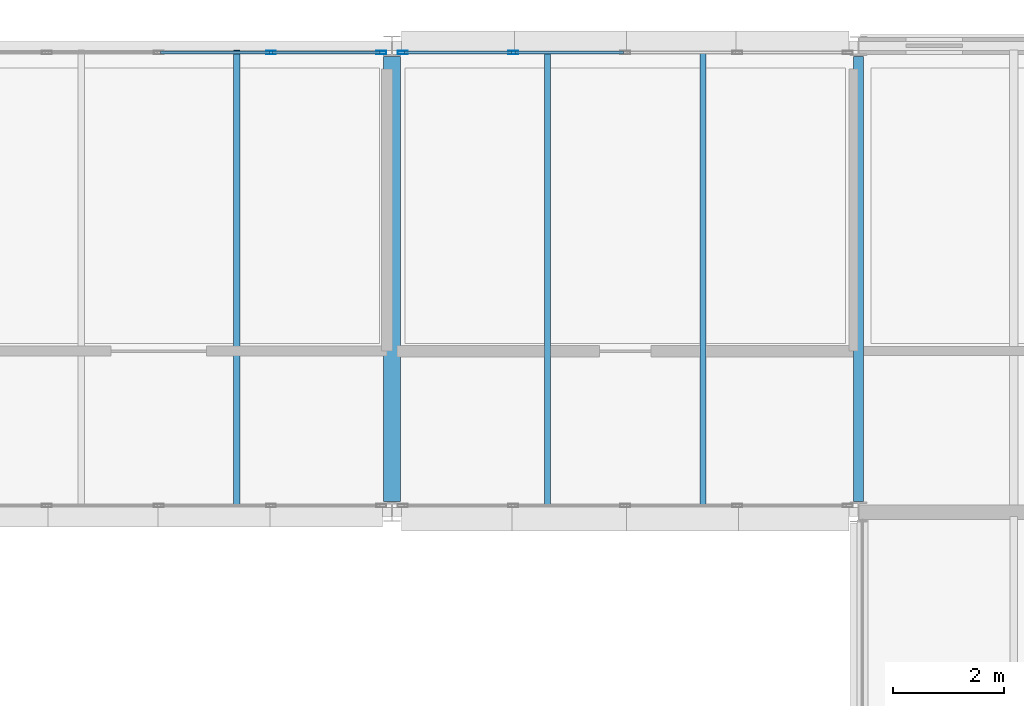
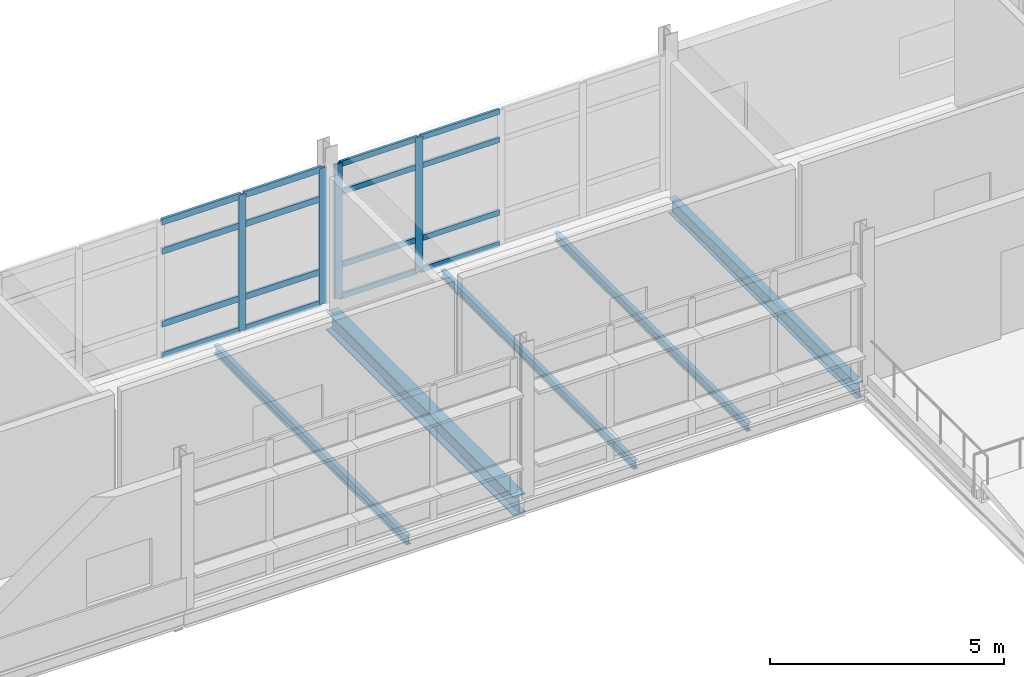
# One storey, part 18 of 66: 20 members, 5 beams, 2 elements without a shape of their own.
"""IFC4 building model written with IfcOpenShell, lengths in metres."""

from ifc_helpers import new_model, si_unit, direction, frame, origin, origin_2d, place, context, subcontext, project, spatial, hollow_rectangle, i_section, extrude, material, material_profile, profile_set, type_object, element, aggregate, save


model = new_model("IFC4")

# Units and contexts
model_context = context("Model", 3, precision=1e-05, world=origin(), true_north=direction((0.0, 1.0)))
body_context = subcontext(model_context, "Body", "Model", "MODEL_VIEW")
ifc_project = project(units=[si_unit("LENGTHUNIT", "METRE"), si_unit("AREAUNIT", "SQUARE_METRE"), si_unit("VOLUMEUNIT", "CUBIC_METRE"), si_unit("PLANEANGLEUNIT", "RADIAN"), si_unit("MASSUNIT", "GRAM", prefix="KILO")], contexts=[model_context])

# Site, building, storey
site_placement = place(None, origin())
site = spatial("IfcSite", under=ifc_project, at=site_placement, CompositionType="ELEMENT")
building_placement = place(site_placement, origin())
building = spatial("IfcBuilding", under=site, at=building_placement, Name="Mersafa Astral City Hall", CompositionType="ELEMENT")
storey_placement = place(building_placement, frame((0.0, 0.0, 22.050048828125)))
storey = spatial("IfcBuildingStorey", under=building, at=storey_placement, Name="L05", CompositionType="ELEMENT", Elevation=22.050048828125)

# Curtain wall, members
ifc_material_1 = material(Name="Anodised bronze aluminium framing", Category="aluminium")
curtain_wall_type_1 = type_object("IfcCurtainWallType", Name="ENV-CW-4", PredefinedType="USERDEFINED", material=ifc_material_1)
curtain_wall_1_placement = place(storey_placement, origin())
curtain_wall_1 = element("IfcCurtainWall", 1, at=curtain_wall_1_placement, inside=storey, type_object=curtain_wall_type_1, Name="L05 Unitised solar curtain wall 231", ObjectType="UNITISED CURTAIN WALL", PredefinedType="USERDEFINED")
ifc_material_profile_1 = material_profile(ifc_material_1, hollow_rectangle(XDim=0.06005859375, YDim=0.179931640625, WallThickness=0.00390625, at=origin_2d()), Name="RHS 60x180x4")
ifc_profile_set_1 = profile_set([ifc_material_profile_1], Name="Anodised bronze aluminium framing")
member_type_1 = type_object("IfcMemberType", Name="ENV-CW-MUL-1", PredefinedType="MULLION", material=ifc_profile_set_1)
member_1_placement = place(storey_placement, frame((94.5810546875, 125.8798828125, -0.001953125), z_axis=(0.0, 0.0, 1.0), x_axis=(0.0, -1.0, 0.0)))
member_1 = element("IfcMember", 2, at=member_1_placement, type_object=member_type_1, Name="CW-4 mullion 4", PredefinedType="MULLION", context=body_context, shape_type="SweptSolid", body=[
    extrude(hollow_rectangle(XDim=0.06005859375, YDim=0.179931640625, WallThickness=0.00390625, at=origin_2d()), origin(), (0.0, 0.0, 1.0), 3.513916015625),
])
member_2_placement = place(storey_placement, frame((92.592041015625, 125.8798828125, -0.001953125), z_axis=(0.0, 0.0, 1.0), x_axis=(0.0, -1.0, 0.0)))
member_2 = element("IfcMember", 3, at=member_2_placement, type_object=member_type_1, Name="CW-4 mullion 5", PredefinedType="MULLION", context=body_context, shape_type="SweptSolid", body=[
    extrude(hollow_rectangle(XDim=0.06005859375, YDim=0.179931640625, WallThickness=0.00390625, at=origin_2d()), origin(), (0.0, 0.0, 1.0), 3.513916015625),
])

curtain_wall_type_2 = type_object("IfcCurtainWallType", Name="ENV-CW-5", PredefinedType="USERDEFINED", material=ifc_material_1)
curtain_wall_2_placement = place(storey_placement, origin())
curtain_wall_2 = element("IfcCurtainWall", 4, at=curtain_wall_2_placement, inside=storey, type_object=curtain_wall_type_2, Name="L05 Unitised solar curtain wall 232", ObjectType="UNITISED CURTAIN WALL", PredefinedType="USERDEFINED")
member_3_placement = place(storey_placement, frame((92.2080078125, 125.8798828125, -0.001953125), z_axis=(0.0, 0.0, 1.0), x_axis=(0.0, -1.0, 0.0)))
member_3 = element("IfcMember", 5, at=member_3_placement, type_object=member_type_1, Name="CW-5 mullion 1", PredefinedType="MULLION", context=body_context, shape_type="SweptSolid", body=[
    extrude(hollow_rectangle(XDim=0.06005859375, YDim=0.179931640625, WallThickness=0.00390625, at=origin_2d()), origin(), (0.0, 0.0, 1.0), 3.5439453125),
])
member_4_placement = place(storey_placement, frame((90.218994140625, 125.8798828125, -0.001953125), z_axis=(0.0, 0.0, 1.0), x_axis=(0.0, -1.0, 0.0)))
member_4 = element("IfcMember", 6, at=member_4_placement, type_object=member_type_1, Name="CW-5 mullion 2", PredefinedType="MULLION", context=body_context, shape_type="SweptSolid", body=[
    extrude(hollow_rectangle(XDim=0.06005859375, YDim=0.179931640625, WallThickness=0.00390625, at=origin_2d()), origin(), (0.0, 0.0, 1.0), 3.5439453125),
])

# Member
ifc_material_profile_2 = material_profile(ifc_material_1, hollow_rectangle(XDim=0.06005859375, YDim=0.139892578125, WallThickness=0.00390625, at=origin_2d()), Name="RHS 60x140x4")
ifc_profile_set_2 = profile_set([ifc_material_profile_2], Name="Anodised bronze aluminium framing")
member_type_2 = type_object("IfcMemberType", Name="ENV-CW-TRN-1", PredefinedType="USERDEFINED", material=ifc_profile_set_2)
member_5_placement = place(storey_placement, frame((96.570068359375, 125.8798828125, 0.02783203125), z_axis=(-1.0, 0.0, 0.0), x_axis=(0.0, -1.0, 0.0)))
member_5 = element("IfcMember", 7, at=member_5_placement, type_object=member_type_2, Name="CW-4 transom 3.1", ObjectType="TRANSOM", PredefinedType="USERDEFINED", context=body_context, shape_type="SweptSolid", body=[
    extrude(hollow_rectangle(XDim=0.06005859375, YDim=0.139892578125, WallThickness=0.00390625, at=origin_2d()), origin(), (0.0, 0.0, 1.0), 1.958984375),
])

member_6_placement = place(storey_placement, frame((96.570068359375, 125.8798828125, 0.849853515625), z_axis=(-1.0, 0.0, 0.0), x_axis=(0.0, -1.0, 0.0)))
member_6 = element("IfcMember", 8, at=member_6_placement, type_object=member_type_2, Name="CW-4 transom 3.2", ObjectType="TRANSOM", PredefinedType="USERDEFINED", context=body_context, shape_type="SweptSolid", body=[
    extrude(hollow_rectangle(XDim=0.06005859375, YDim=0.139892578125, WallThickness=0.00390625, at=origin_2d()), origin(), (0.0, 0.0, 1.0), 1.958984375),
])

member_7_placement = place(storey_placement, frame((96.570068359375, 125.8798828125, 2.75), z_axis=(-1.0, 0.0, 0.0), x_axis=(0.0, -1.0, 0.0)))
member_7 = element("IfcMember", 9, at=member_7_placement, type_object=member_type_2, Name="CW-4 transom 3.3", ObjectType="TRANSOM", PredefinedType="USERDEFINED", context=body_context, shape_type="SweptSolid", body=[
    extrude(hollow_rectangle(XDim=0.06005859375, YDim=0.139892578125, WallThickness=0.00390625, at=origin_2d()), origin(), (0.0, 0.0, 1.0), 1.958984375),
])

member_8_placement = place(storey_placement, frame((96.570068359375, 125.8798828125, 3.48193359375), z_axis=(-1.0, 0.0, 0.0), x_axis=(0.0, -1.0, 0.0)))
member_8 = element("IfcMember", 10, at=member_8_placement, type_object=member_type_2, Name="CW-4 transom 3.4", ObjectType="TRANSOM", PredefinedType="USERDEFINED", context=body_context, shape_type="SweptSolid", body=[
    extrude(hollow_rectangle(XDim=0.06005859375, YDim=0.139892578125, WallThickness=0.00390625, at=origin_2d()), origin(), (0.0, 0.0, 1.0), 1.958984375),
])

member_9_placement = place(storey_placement, frame((94.551025390625, 125.8798828125, 0.02783203125), z_axis=(-1.0, 0.0, 0.0), x_axis=(0.0, -1.0, 0.0)))
member_9 = element("IfcMember", 11, at=member_9_placement, type_object=member_type_2, Name="CW-4 transom 4.1", ObjectType="TRANSOM", PredefinedType="USERDEFINED", context=body_context, shape_type="SweptSolid", body=[
    extrude(hollow_rectangle(XDim=0.06005859375, YDim=0.139892578125, WallThickness=0.00390625, at=origin_2d()), origin(), (0.0, 0.0, 1.0), 1.928955078125),
])

member_10_placement = place(storey_placement, frame((94.551025390625, 125.8798828125, 0.849853515625), z_axis=(-1.0, 0.0, 0.0), x_axis=(0.0, -1.0, 0.0)))
member_10 = element("IfcMember", 12, at=member_10_placement, type_object=member_type_2, Name="CW-4 transom 4.2", ObjectType="TRANSOM", PredefinedType="USERDEFINED", context=body_context, shape_type="SweptSolid", body=[
    extrude(hollow_rectangle(XDim=0.06005859375, YDim=0.139892578125, WallThickness=0.00390625, at=origin_2d()), origin(), (0.0, 0.0, 1.0), 1.928955078125),
])

member_11_placement = place(storey_placement, frame((94.551025390625, 125.8798828125, 2.75), z_axis=(-1.0, 0.0, 0.0), x_axis=(0.0, -1.0, 0.0)))
member_11 = element("IfcMember", 13, at=member_11_placement, type_object=member_type_2, Name="CW-4 transom 4.3", ObjectType="TRANSOM", PredefinedType="USERDEFINED", context=body_context, shape_type="SweptSolid", body=[
    extrude(hollow_rectangle(XDim=0.06005859375, YDim=0.139892578125, WallThickness=0.00390625, at=origin_2d()), origin(), (0.0, 0.0, 1.0), 1.928955078125),
])

member_12_placement = place(storey_placement, frame((94.551025390625, 125.8798828125, 3.48193359375), z_axis=(-1.0, 0.0, 0.0), x_axis=(0.0, -1.0, 0.0)))
member_12 = element("IfcMember", 14, at=member_12_placement, type_object=member_type_2, Name="CW-4 transom 4.4", ObjectType="TRANSOM", PredefinedType="USERDEFINED", context=body_context, shape_type="SweptSolid", body=[
    extrude(hollow_rectangle(XDim=0.06005859375, YDim=0.139892578125, WallThickness=0.00390625, at=origin_2d()), origin(), (0.0, 0.0, 1.0), 1.928955078125),
])

aggregate(curtain_wall_1, [member_1, member_2, member_5, member_6, member_7, member_8, member_9, member_10, member_11, member_12])

ifc_material_profile_3 = material_profile(ifc_material_1, hollow_rectangle(XDim=0.06005859375, YDim=0.159912109375, WallThickness=0.00390625, at=origin_2d()), Name="RHS 60x160x4")
ifc_profile_set_3 = profile_set([ifc_material_profile_3], Name="Anodised bronze aluminium framing")
member_type_3 = type_object("IfcMemberType", Name="ENV-CW-TRN-2", PredefinedType="USERDEFINED", material=ifc_profile_set_3)
member_13_placement = place(storey_placement, frame((92.177978515625, 125.8798828125, 0.02783203125), z_axis=(-1.0, 0.0, 0.0), x_axis=(0.0, -1.0, 0.0)))
member_13 = element("IfcMember", 15, at=member_13_placement, type_object=member_type_3, Name="CW-5 transom 1.1", ObjectType="TRANSOM", PredefinedType="USERDEFINED", context=body_context, shape_type="SweptSolid", body=[
    extrude(hollow_rectangle(XDim=0.06005859375, YDim=0.159912109375, WallThickness=0.00390625, at=origin_2d()), origin(), (0.0, 0.0, 1.0), 1.928955078125),
])

member_14_placement = place(storey_placement, frame((92.177978515625, 125.8798828125, 0.849853515625), z_axis=(-1.0, 0.0, 0.0), x_axis=(0.0, -1.0, 0.0)))
member_14 = element("IfcMember", 16, at=member_14_placement, type_object=member_type_3, Name="CW-5 transom 1.2", ObjectType="TRANSOM", PredefinedType="USERDEFINED", context=body_context, shape_type="SweptSolid", body=[
    extrude(hollow_rectangle(XDim=0.06005859375, YDim=0.159912109375, WallThickness=0.00390625, at=origin_2d()), origin(), (0.0, 0.0, 1.0), 1.928955078125),
])

member_15_placement = place(storey_placement, frame((92.177978515625, 125.8798828125, 2.75), z_axis=(-1.0, 0.0, 0.0), x_axis=(0.0, -1.0, 0.0)))
member_15 = element("IfcMember", 17, at=member_15_placement, type_object=member_type_3, Name="CW-5 transom 1.3", ObjectType="TRANSOM", PredefinedType="USERDEFINED", context=body_context, shape_type="SweptSolid", body=[
    extrude(hollow_rectangle(XDim=0.06005859375, YDim=0.159912109375, WallThickness=0.00390625, at=origin_2d()), origin(), (0.0, 0.0, 1.0), 1.928955078125),
])

member_16_placement = place(storey_placement, frame((92.177978515625, 125.8798828125, 3.511962890625), z_axis=(-1.0, 0.0, 0.0), x_axis=(0.0, -1.0, 0.0)))
member_16 = element("IfcMember", 18, at=member_16_placement, type_object=member_type_3, Name="CW-5 transom 1.4", ObjectType="TRANSOM", PredefinedType="USERDEFINED", context=body_context, shape_type="SweptSolid", body=[
    extrude(hollow_rectangle(XDim=0.06005859375, YDim=0.159912109375, WallThickness=0.00390625, at=origin_2d()), origin(), (0.0, 0.0, 1.0), 1.928955078125),
])

member_17_placement = place(storey_placement, frame((90.18896484375, 125.8798828125, 0.02783203125), z_axis=(-1.0, 0.0, 0.0), x_axis=(0.0, -1.0, 0.0)))
member_17 = element("IfcMember", 19, at=member_17_placement, type_object=member_type_3, Name="CW-5 transom 2.1", ObjectType="TRANSOM", PredefinedType="USERDEFINED", context=body_context, shape_type="SweptSolid", body=[
    extrude(hollow_rectangle(XDim=0.06005859375, YDim=0.159912109375, WallThickness=0.00390625, at=origin_2d()), origin(), (0.0, 0.0, 1.0), 1.958984375),
])

member_18_placement = place(storey_placement, frame((90.18896484375, 125.8798828125, 0.849853515625), z_axis=(-1.0, 0.0, 0.0), x_axis=(0.0, -1.0, 0.0)))
member_18 = element("IfcMember", 20, at=member_18_placement, type_object=member_type_3, Name="CW-5 transom 2.2", ObjectType="TRANSOM", PredefinedType="USERDEFINED", context=body_context, shape_type="SweptSolid", body=[
    extrude(hollow_rectangle(XDim=0.06005859375, YDim=0.159912109375, WallThickness=0.00390625, at=origin_2d()), origin(), (0.0, 0.0, 1.0), 1.958984375),
])

member_19_placement = place(storey_placement, frame((90.18896484375, 125.8798828125, 2.75), z_axis=(-1.0, 0.0, 0.0), x_axis=(0.0, -1.0, 0.0)))
member_19 = element("IfcMember", 21, at=member_19_placement, type_object=member_type_3, Name="CW-5 transom 2.3", ObjectType="TRANSOM", PredefinedType="USERDEFINED", context=body_context, shape_type="SweptSolid", body=[
    extrude(hollow_rectangle(XDim=0.06005859375, YDim=0.159912109375, WallThickness=0.00390625, at=origin_2d()), origin(), (0.0, 0.0, 1.0), 1.958984375),
])

member_20_placement = place(storey_placement, frame((90.18896484375, 125.8798828125, 3.511962890625), z_axis=(-1.0, 0.0, 0.0), x_axis=(0.0, -1.0, 0.0)))
member_20 = element("IfcMember", 22, at=member_20_placement, type_object=member_type_3, Name="CW-5 transom 2.4", ObjectType="TRANSOM", PredefinedType="USERDEFINED", context=body_context, shape_type="SweptSolid", body=[
    extrude(hollow_rectangle(XDim=0.06005859375, YDim=0.159912109375, WallThickness=0.00390625, at=origin_2d()), origin(), (0.0, 0.0, 1.0), 1.958984375),
])

aggregate(curtain_wall_2, [member_3, member_4, member_13, member_14, member_15, member_16, member_17, member_18, member_19, member_20])

# Beams
ifc_material_2 = material(Name="Steel S355", Category="steel")
ifc_material_profile_4 = material_profile(ifc_material_2, i_section(OverallWidth=0.300048828125, OverallDepth=0.489990234375, WebThickness=0.011962890625, FlangeThickness=0.02294921875, FilletRadius=0.027099609375, at=origin_2d()), Name="HEA 500")
ifc_profile_set_4 = profile_set([ifc_material_profile_4], Name="Steel S355")
beam_type_1 = type_object("IfcBeamType", Name="STR-BM-HEA500", PredefinedType="BEAM", material=ifc_profile_set_4)
beam_1_placement = place(storey_placement, frame((92.39990234375, 117.794921875, -0.425048828125), z_axis=(0.0, 1.0, 0.0), x_axis=(-1.0, 0.0, 0.0)))
element("IfcBeam", 23, at=beam_1_placement, inside=storey, type_object=beam_type_1, Name="L05 Primary girder Y 11-14", PredefinedType="BEAM", context=body_context, shape_type="SweptSolid", body=[
    extrude(i_section(OverallWidth=0.300048828125, OverallDepth=0.489990234375, WebThickness=0.011962890625, FlangeThickness=0.02294921875, FilletRadius=0.027099609375, at=origin_2d()), origin(), (0.0, 0.0, 1.0), 8.010009765625),
])
ifc_material_profile_5 = material_profile(ifc_material_2, i_section(OverallWidth=0.179931640625, OverallDepth=0.39990234375, WebThickness=0.008544921875, FlangeThickness=0.013427734375, FilletRadius=0.02099609375, at=origin_2d()), Name="IPE 400")
ifc_profile_set_5 = profile_set([ifc_material_profile_5], Name="Steel S355")
beam_type_2 = type_object("IfcBeamType", Name="STR-BM-IPE400", PredefinedType="BEAM", material=ifc_profile_set_5)
beam_2_placement = place(storey_placement, frame((100.800048828125, 117.794921875, -0.380126953125), z_axis=(0.0, 1.0, 0.0), x_axis=(-1.0, 0.0, 0.0)))
element("IfcBeam", 24, at=beam_2_placement, inside=storey, type_object=beam_type_2, Name="L05 Primary girder Y 12-14", PredefinedType="BEAM", context=body_context, shape_type="SweptSolid", body=[
    extrude(i_section(OverallWidth=0.179931640625, OverallDepth=0.39990234375, WebThickness=0.008544921875, FlangeThickness=0.013427734375, FilletRadius=0.02099609375, at=origin_2d()), origin(), (0.0, 0.0, 1.0), 8.010009765625),
])
ifc_material_profile_6 = material_profile(ifc_material_2, i_section(OverallWidth=0.110107421875, OverallDepth=0.219970703125, WebThickness=0.005859375, FlangeThickness=0.00927734375, FilletRadius=0.011962890625, at=origin_2d()), Name="IPE 220")
ifc_profile_set_6 = profile_set([ifc_material_profile_6], Name="Steel S355")
beam_type_3 = type_object("IfcBeamType", Name="STR-BM-JOIST-IPE220", PredefinedType="JOIST", material=ifc_profile_set_6)
for number, where, z_axis, x_axis, name in (
    (25, (95.199951171875, 117.675048828125, -0.2900390625), (0.0, 1.0, 0.0), (-1.0, 0.0, 0.0), "L05 Composite secondary floor joist 797"),
    (26, (98.0, 117.675048828125, -0.2900390625), (0.0, 1.0, 0.0), (-1.0, 0.0, 0.0), "L05 Composite secondary floor joist 798"),
):
    element("IfcBeam", number, at=place(storey_placement, frame(where, z_axis=z_axis, x_axis=x_axis)), inside=storey, type_object=beam_type_3, Name=name, PredefinedType="JOIST", context=body_context, shape_type="SweptSolid", body=[
        extrude(i_section(OverallWidth=0.110107421875, OverallDepth=0.219970703125, WebThickness=0.005859375, FlangeThickness=0.00927734375, FilletRadius=0.011962890625, at=origin_2d()), origin(), (0.0, 0.0, 1.0), 8.244873046875),
    ])
ifc_material_profile_7 = material_profile(ifc_material_2, i_section(OverallWidth=0.1201171875, OverallDepth=0.239990234375, WebThickness=0.006103515625, FlangeThickness=0.009765625, FilletRadius=0.014892578125, at=origin_2d()), Name="IPE 240")
ifc_profile_set_7 = profile_set([ifc_material_profile_7], Name="Steel S355")
beam_type_4 = type_object("IfcBeamType", Name="STR-BM-JOIST-IPE240", PredefinedType="JOIST", material=ifc_profile_set_7)
beam_3_placement = place(storey_placement, frame((89.60009765625, 117.679931640625, -0.300048828125), z_axis=(0.0, 1.0, 0.0), x_axis=(-1.0, 0.0, 0.0)))
element("IfcBeam", 27, at=beam_3_placement, inside=storey, type_object=beam_type_4, Name="L05 Composite secondary floor joist 796", PredefinedType="JOIST", context=body_context, shape_type="SweptSolid", body=[
    extrude(i_section(OverallWidth=0.1201171875, OverallDepth=0.239990234375, WebThickness=0.006103515625, FlangeThickness=0.009765625, FilletRadius=0.014892578125, at=origin_2d()), origin(), (0.0, 0.0, 1.0), 8.2451171875),
])

save(model, "model.ifc")
